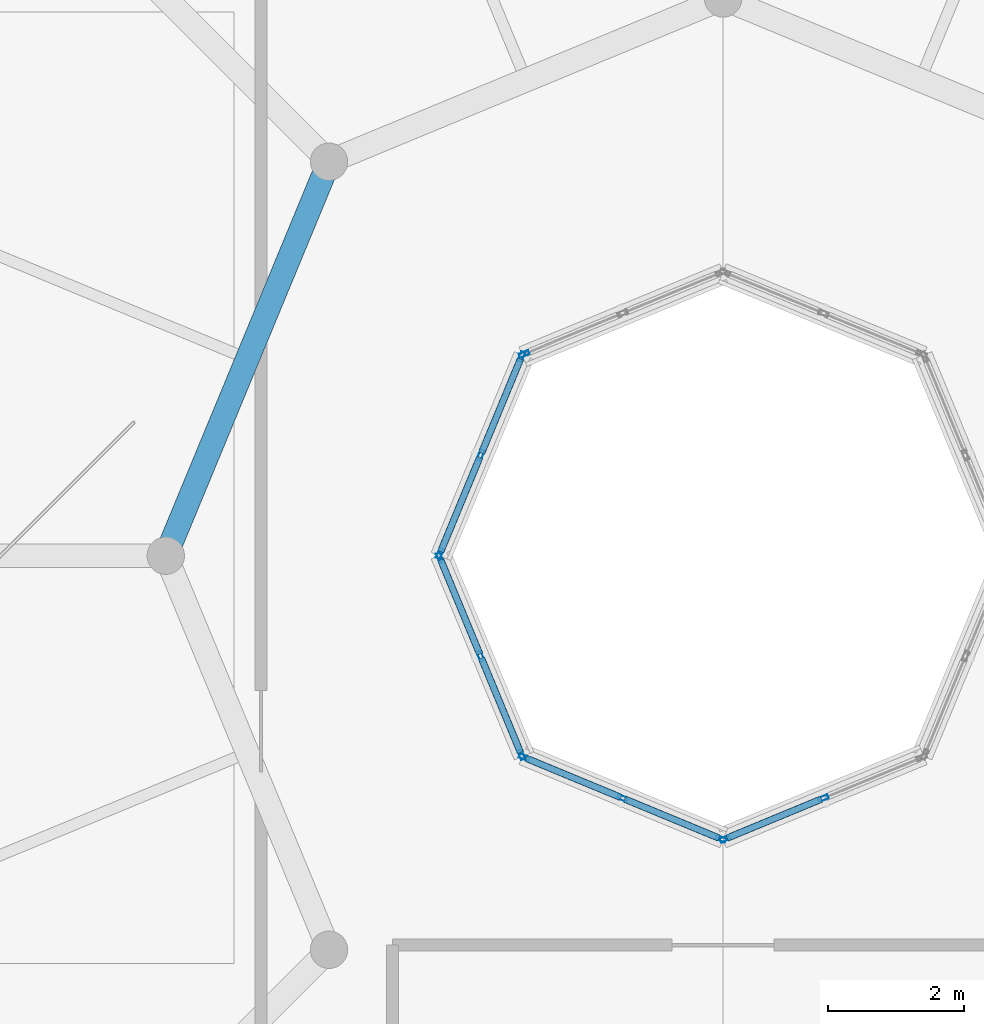
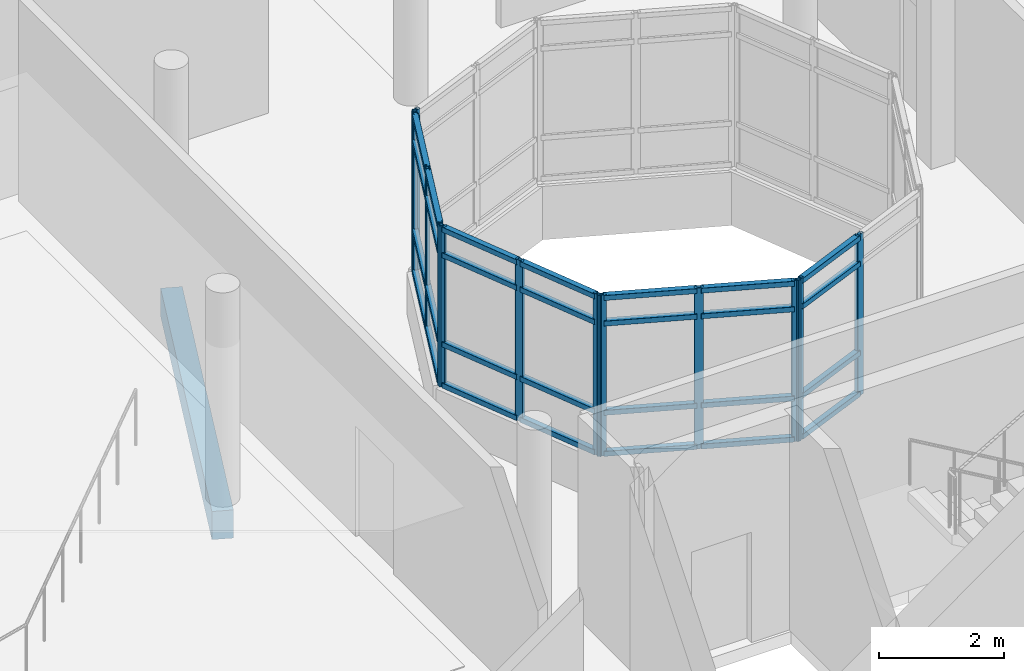
# One storey, part 79 of 128: 40 members, 1 beam, 5 elements without a shape of their own.
"""IFC4 building model written with IfcOpenShell, lengths in metres."""

from ifc_helpers import new_model, si_unit, direction, frame, origin, origin_2d, place, context, subcontext, project, spatial, rectangle, hollow_rectangle, extrude, material, layer, layer_set, material_profile, profile_set, type_object, element, aggregate, save


model = new_model("IFC4")

# Units and contexts
model_context = context("Model", 3, precision=1e-05, world=origin(), true_north=direction((0.0, 1.0)))
body_context = subcontext(model_context, "Body", "Model", "MODEL_VIEW")
ifc_project = project(units=[si_unit("LENGTHUNIT", "METRE"), si_unit("AREAUNIT", "SQUARE_METRE"), si_unit("VOLUMEUNIT", "CUBIC_METRE"), si_unit("PLANEANGLEUNIT", "RADIAN"), si_unit("MASSUNIT", "GRAM", prefix="KILO")], contexts=[model_context])

# Site, building, storey
site_placement = place(None, origin())
site = spatial("IfcSite", under=ifc_project, at=site_placement, CompositionType="ELEMENT")
building_placement = place(site_placement, origin())
building = spatial("IfcBuilding", under=site, at=building_placement, Name="Vespera Passage Community Centre", CompositionType="ELEMENT")
storey_placement = place(building_placement, frame((0.0, 0.0, 4.5)))
storey = spatial("IfcBuildingStorey", under=building, at=storey_placement, Name="L01", CompositionType="ELEMENT", Elevation=4.5)

# Beam
ifc_material_1 = material(Name="Concrete f'c 35 MPa", Category="concrete")
ifc_material_profile_1 = material_profile(ifc_material_1, rectangle(XDim=0.35009765625, YDim=0.550048828125, at=origin_2d()), Name="RC350X550")
ifc_profile_set_1 = profile_set([ifc_material_profile_1], Name="Concrete f'c 35 MPa")
beam_type = type_object("IfcBeamType", Name="BM-J-350X550", PredefinedType="JOIST", material=ifc_profile_set_1)
beam_placement = place(storey_placement, frame((135.20166015625, 30.79833984375, -0.514892578125), z_axis=(-0.382664436252, -0.92388740073, 0.0), x_axis=(0.92388740073, -0.382664436252, 0.0)))
element("IfcBeam", 1, at=beam_placement, inside=storey, type_object=beam_type, Name="V3 L01 Inner Ring Beam 4", PredefinedType="JOIST", context=body_context, shape_type="SweptSolid", body=[
    extrude(rectangle(XDim=0.35009765625, YDim=0.550048828125, at=origin_2d()), origin(), (0.0, 0.0, 1.0), 6.276123046875),
])

# Curtain wall, member
ifc_material_2 = material(Name="Anodized aluminium 6063-T6", Category="aluminium")
ifc_layer = layer(ifc_material_2, 0.159912109375)
ifc_layer_set = layer_set([ifc_layer], Name="Anodized aluminium 6063-T6")
curtain_wall_type = type_object("IfcCurtainWallType", Name="CW-107E", PredefinedType="NOTDEFINED", material=ifc_layer_set)
curtain_wall_1_placement = place(storey_placement, origin())
curtain_wall_1 = element("IfcCurtainWall", 2, at=curtain_wall_1_placement, inside=storey, type_object=curtain_wall_type, Name="V3 L01 Inner Court Ribbon Curtain Wall 3", PredefinedType="NOTDEFINED")
ifc_material_3 = material(Name="Anodized aluminium 6063-T6", Category="aluminium")
ifc_material_profile_2 = material_profile(ifc_material_3, hollow_rectangle(XDim=0.06494140625, YDim=0.14990234375, WallThickness=0.00390625, InnerFilletRadius=0.001953125, OuterFilletRadius=0.00390625, at=origin_2d()), Name="ALU150X65X4")
ifc_profile_set_2 = profile_set([ifc_material_profile_2], Name="Anodized aluminium 6063-T6")
member_type_1 = type_object("IfcMemberType", Name="MB-CWM-150E", PredefinedType="MULLION", material=ifc_profile_set_2)
member_1_placement = place(storey_placement, frame((138.07421875, 27.968017578125, 0.800048828125), z_axis=(0.0, 0.0, 1.0), x_axis=(0.382685826549, -0.923878540804, 0.0)))
member_1 = element("IfcMember", 3, at=member_1_placement, type_object=member_type_1, Name="CW-107E mullion 3", PredefinedType="MULLION", context=body_context, shape_type="SweptSolid", body=[
    extrude(hollow_rectangle(XDim=0.06494140625, YDim=0.14990234375, WallThickness=0.00390625, InnerFilletRadius=0.001953125, OuterFilletRadius=0.00390625, at=origin_2d()), origin(), (0.0, 0.0, 1.0), 3.139892578125),
])
aggregate(curtain_wall_1, [member_1])

# Curtain wall, members
curtain_wall_2_placement = place(storey_placement, origin())
curtain_wall_2 = element("IfcCurtainWall", 4, at=curtain_wall_2_placement, inside=storey, type_object=curtain_wall_type, Name="V3 L01 Inner Court Ribbon Curtain Wall 4", PredefinedType="NOTDEFINED")
member_2_placement = place(storey_placement, frame((138.031982421875, 27.92578125, 0.800048828125), z_axis=(0.0, 0.0, 1.0), x_axis=(0.923878540804, -0.382685826549, 0.0)))
member_2 = element("IfcMember", 5, at=member_2_placement, type_object=member_type_1, Name="CW-107E mullion 1", PredefinedType="MULLION", context=body_context, shape_type="SweptSolid", body=[
    extrude(hollow_rectangle(XDim=0.06494140625, YDim=0.14990234375, WallThickness=0.00390625, InnerFilletRadius=0.001953125, OuterFilletRadius=0.00390625, at=origin_2d()), origin(), (0.0, 0.0, 1.0), 3.139892578125),
])
member_3_placement = place(storey_placement, frame((137.43212890625, 26.477783203125, 0.800048828125), z_axis=(0.0, 0.0, 1.0), x_axis=(0.923878540804, -0.382685826549, 0.0)))
member_3 = element("IfcMember", 6, at=member_3_placement, type_object=member_type_1, Name="CW-107E mullion 2", PredefinedType="MULLION", context=body_context, shape_type="SweptSolid", body=[
    extrude(hollow_rectangle(XDim=0.06494140625, YDim=0.14990234375, WallThickness=0.00390625, InnerFilletRadius=0.001953125, OuterFilletRadius=0.00390625, at=origin_2d()), origin(), (0.0, 0.0, 1.0), 3.139892578125),
])
member_4_placement = place(storey_placement, frame((136.83251953125, 25.030029296875, 0.800048828125), z_axis=(0.0, 0.0, 1.0), x_axis=(0.923878540804, -0.382685826549, 0.0)))
member_4 = element("IfcMember", 7, at=member_4_placement, type_object=member_type_1, Name="CW-107E mullion 3", PredefinedType="MULLION", context=body_context, shape_type="SweptSolid", body=[
    extrude(hollow_rectangle(XDim=0.06494140625, YDim=0.14990234375, WallThickness=0.00390625, InnerFilletRadius=0.001953125, OuterFilletRadius=0.00390625, at=origin_2d()), origin(), (0.0, 0.0, 1.0), 3.139892578125),
])

curtain_wall_3_placement = place(storey_placement, origin())
curtain_wall_3 = element("IfcCurtainWall", 8, at=curtain_wall_3_placement, inside=storey, type_object=curtain_wall_type, Name="V3 L01 Inner Court Ribbon Curtain Wall 5", PredefinedType="NOTDEFINED")
member_5_placement = place(storey_placement, frame((136.83251953125, 24.969970703125, 0.800048828125), z_axis=(0.0, 0.0, 1.0), x_axis=(0.923878540804, 0.382685826549, 0.0)))
member_5 = element("IfcMember", 9, at=member_5_placement, type_object=member_type_1, Name="CW-107E mullion 1", PredefinedType="MULLION", context=body_context, shape_type="SweptSolid", body=[
    extrude(hollow_rectangle(XDim=0.06494140625, YDim=0.14990234375, WallThickness=0.00390625, InnerFilletRadius=0.001953125, OuterFilletRadius=0.00390625, at=origin_2d()), origin(), (0.0, 0.0, 1.0), 3.139892578125),
])
member_6_placement = place(storey_placement, frame((137.43212890625, 23.522216796875, 0.800048828125), z_axis=(0.0, 0.0, 1.0), x_axis=(0.923878540804, 0.382685826549, 0.0)))
member_6 = element("IfcMember", 10, at=member_6_placement, type_object=member_type_1, Name="CW-107E mullion 2", PredefinedType="MULLION", context=body_context, shape_type="SweptSolid", body=[
    extrude(hollow_rectangle(XDim=0.06494140625, YDim=0.14990234375, WallThickness=0.00390625, InnerFilletRadius=0.001953125, OuterFilletRadius=0.00390625, at=origin_2d()), origin(), (0.0, 0.0, 1.0), 3.139892578125),
])
member_7_placement = place(storey_placement, frame((138.031982421875, 22.07421875, 0.800048828125), z_axis=(0.0, 0.0, 1.0), x_axis=(0.923878540804, 0.382685826549, 0.0)))
member_7 = element("IfcMember", 11, at=member_7_placement, type_object=member_type_1, Name="CW-107E mullion 3", PredefinedType="MULLION", context=body_context, shape_type="SweptSolid", body=[
    extrude(hollow_rectangle(XDim=0.06494140625, YDim=0.14990234375, WallThickness=0.00390625, InnerFilletRadius=0.001953125, OuterFilletRadius=0.00390625, at=origin_2d()), origin(), (0.0, 0.0, 1.0), 3.139892578125),
])

curtain_wall_4_placement = place(storey_placement, origin())
curtain_wall_4 = element("IfcCurtainWall", 12, at=curtain_wall_4_placement, inside=storey, type_object=curtain_wall_type, Name="V3 L01 Inner Court Ribbon Curtain Wall 6", PredefinedType="NOTDEFINED")
member_8_placement = place(storey_placement, frame((138.07421875, 22.031982421875, 0.800048828125), z_axis=(0.0, 0.0, 1.0), x_axis=(0.382685826549, 0.923878540804, 0.0)))
member_8 = element("IfcMember", 13, at=member_8_placement, type_object=member_type_1, Name="CW-107E mullion 1", PredefinedType="MULLION", context=body_context, shape_type="SweptSolid", body=[
    extrude(hollow_rectangle(XDim=0.06494140625, YDim=0.14990234375, WallThickness=0.00390625, InnerFilletRadius=0.001953125, OuterFilletRadius=0.00390625, at=origin_2d()), origin(), (0.0, 0.0, 1.0), 3.139892578125),
])
member_9_placement = place(storey_placement, frame((139.522216796875, 21.43212890625, 0.800048828125), z_axis=(0.0, 0.0, 1.0), x_axis=(0.382685826549, 0.923878540804, 0.0)))
member_9 = element("IfcMember", 14, at=member_9_placement, type_object=member_type_1, Name="CW-107E mullion 2", PredefinedType="MULLION", context=body_context, shape_type="SweptSolid", body=[
    extrude(hollow_rectangle(XDim=0.06494140625, YDim=0.14990234375, WallThickness=0.00390625, InnerFilletRadius=0.001953125, OuterFilletRadius=0.00390625, at=origin_2d()), origin(), (0.0, 0.0, 1.0), 3.139892578125),
])
member_10_placement = place(storey_placement, frame((140.969970703125, 20.83251953125, 0.800048828125), z_axis=(0.0, 0.0, 1.0), x_axis=(0.382685826549, 0.923878540804, 0.0)))
member_10 = element("IfcMember", 15, at=member_10_placement, type_object=member_type_1, Name="CW-107E mullion 3", PredefinedType="MULLION", context=body_context, shape_type="SweptSolid", body=[
    extrude(hollow_rectangle(XDim=0.06494140625, YDim=0.14990234375, WallThickness=0.00390625, InnerFilletRadius=0.001953125, OuterFilletRadius=0.00390625, at=origin_2d()), origin(), (0.0, 0.0, 1.0), 3.139892578125),
])

curtain_wall_5_placement = place(storey_placement, origin())
curtain_wall_5 = element("IfcCurtainWall", 16, at=curtain_wall_5_placement, inside=storey, type_object=curtain_wall_type, Name="V3 L01 Inner Court Ribbon Curtain Wall 7", PredefinedType="NOTDEFINED")
member_11_placement = place(storey_placement, frame((141.030029296875, 20.83251953125, 0.800048828125), z_axis=(0.0, 0.0, 1.0), x_axis=(-0.382685826549, 0.923878540804, 0.0)))
member_11 = element("IfcMember", 17, at=member_11_placement, type_object=member_type_1, Name="CW-107E mullion 1", PredefinedType="MULLION", context=body_context, shape_type="SweptSolid", body=[
    extrude(hollow_rectangle(XDim=0.06494140625, YDim=0.14990234375, WallThickness=0.00390625, InnerFilletRadius=0.001953125, OuterFilletRadius=0.00390625, at=origin_2d()), origin(), (0.0, 0.0, 1.0), 3.139892578125),
])
member_12_placement = place(storey_placement, frame((142.477783203125, 21.43212890625, 0.800048828125), z_axis=(0.0, 0.0, 1.0), x_axis=(-0.382685826549, 0.923878540804, 0.0)))
member_12 = element("IfcMember", 18, at=member_12_placement, type_object=member_type_1, Name="CW-107E mullion 2", PredefinedType="MULLION", context=body_context, shape_type="SweptSolid", body=[
    extrude(hollow_rectangle(XDim=0.06494140625, YDim=0.14990234375, WallThickness=0.00390625, InnerFilletRadius=0.001953125, OuterFilletRadius=0.00390625, at=origin_2d()), origin(), (0.0, 0.0, 1.0), 3.139892578125),
])

# Member
ifc_material_4 = material(Name="Anodized aluminium 6063-T6", Category="aluminium")
ifc_material_profile_3 = material_profile(ifc_material_4, hollow_rectangle(XDim=0.10009765625, YDim=0.10009765625, WallThickness=0.00390625, InnerFilletRadius=0.001953125, OuterFilletRadius=0.00390625, at=origin_2d()), Name="ALU100X100X4")
ifc_profile_set_3 = profile_set([ifc_material_profile_3], Name="Anodized aluminium 6063-T6")
member_type_2 = type_object("IfcMemberType", Name="MB-CWT-100E", PredefinedType="USERDEFINED", material=ifc_profile_set_3)
member_13_placement = place(storey_placement, frame((138.01953125, 27.895751953125, 0.85009765625), z_axis=(-0.382710605355, -0.923868276622, 0.0), x_axis=(0.923868276622, -0.382710605355, 0.0)))
member_13 = element("IfcMember", 19, at=member_13_placement, type_object=member_type_2, Name="CW-107E transom 1.1", ObjectType="TRANSOM", PredefinedType="USERDEFINED", context=body_context, shape_type="SweptSolid", body=[
    extrude(hollow_rectangle(XDim=0.10009765625, YDim=0.10009765625, WallThickness=0.00390625, InnerFilletRadius=0.001953125, OuterFilletRadius=0.00390625, at=origin_2d()), origin(), (0.0, 0.0, 1.0), 1.502197265625),
])

member_14_placement = place(storey_placement, frame((138.01953125, 27.895751953125, 1.64990234375), z_axis=(-0.382710605355, -0.923868276622, 0.0), x_axis=(0.923868276622, -0.382710605355, 0.0)))
member_14 = element("IfcMember", 20, at=member_14_placement, type_object=member_type_2, Name="CW-107E transom 1.2", ObjectType="TRANSOM", PredefinedType="USERDEFINED", context=body_context, shape_type="SweptSolid", body=[
    extrude(hollow_rectangle(XDim=0.10009765625, YDim=0.10009765625, WallThickness=0.00390625, InnerFilletRadius=0.001953125, OuterFilletRadius=0.00390625, at=origin_2d()), origin(), (0.0, 0.0, 1.0), 1.502197265625),
])

member_15_placement = place(storey_placement, frame((138.01953125, 27.895751953125, 3.389892578125), z_axis=(-0.382710605355, -0.923868276622, 0.0), x_axis=(0.923868276622, -0.382710605355, 0.0)))
member_15 = element("IfcMember", 21, at=member_15_placement, type_object=member_type_2, Name="CW-107E transom 1.3", ObjectType="TRANSOM", PredefinedType="USERDEFINED", context=body_context, shape_type="SweptSolid", body=[
    extrude(hollow_rectangle(XDim=0.10009765625, YDim=0.10009765625, WallThickness=0.00390625, InnerFilletRadius=0.001953125, OuterFilletRadius=0.00390625, at=origin_2d()), origin(), (0.0, 0.0, 1.0), 1.502197265625),
])

member_16_placement = place(storey_placement, frame((138.01953125, 27.895751953125, 3.889892578125), z_axis=(-0.382710605355, -0.923868276622, 0.0), x_axis=(0.923868276622, -0.382710605355, 0.0)))
member_16 = element("IfcMember", 22, at=member_16_placement, type_object=member_type_2, Name="CW-107E transom 1.4", ObjectType="TRANSOM", PredefinedType="USERDEFINED", context=body_context, shape_type="SweptSolid", body=[
    extrude(hollow_rectangle(XDim=0.10009765625, YDim=0.10009765625, WallThickness=0.00390625, InnerFilletRadius=0.001953125, OuterFilletRadius=0.00390625, at=origin_2d()), origin(), (0.0, 0.0, 1.0), 1.502197265625),
])

member_17_placement = place(storey_placement, frame((137.419677734375, 26.44775390625, 0.85009765625), z_axis=(-0.382629338474, -0.923901937079, 0.0), x_axis=(0.923901937079, -0.382629338474, 0.0)))
member_17 = element("IfcMember", 23, at=member_17_placement, type_object=member_type_2, Name="CW-107E transom 2.1", ObjectType="TRANSOM", PredefinedType="USERDEFINED", context=body_context, shape_type="SweptSolid", body=[
    extrude(hollow_rectangle(XDim=0.10009765625, YDim=0.10009765625, WallThickness=0.00390625, InnerFilletRadius=0.001953125, OuterFilletRadius=0.00390625, at=origin_2d()), origin(), (0.0, 0.0, 1.0), 1.501953125),
])

member_18_placement = place(storey_placement, frame((137.419677734375, 26.44775390625, 1.64990234375), z_axis=(-0.382629338474, -0.923901937079, 0.0), x_axis=(0.923901937079, -0.382629338474, 0.0)))
member_18 = element("IfcMember", 24, at=member_18_placement, type_object=member_type_2, Name="CW-107E transom 2.2", ObjectType="TRANSOM", PredefinedType="USERDEFINED", context=body_context, shape_type="SweptSolid", body=[
    extrude(hollow_rectangle(XDim=0.10009765625, YDim=0.10009765625, WallThickness=0.00390625, InnerFilletRadius=0.001953125, OuterFilletRadius=0.00390625, at=origin_2d()), origin(), (0.0, 0.0, 1.0), 1.501953125),
])

member_19_placement = place(storey_placement, frame((137.419677734375, 26.44775390625, 3.389892578125), z_axis=(-0.382629338474, -0.923901937079, 0.0), x_axis=(0.923901937079, -0.382629338474, 0.0)))
member_19 = element("IfcMember", 25, at=member_19_placement, type_object=member_type_2, Name="CW-107E transom 2.3", ObjectType="TRANSOM", PredefinedType="USERDEFINED", context=body_context, shape_type="SweptSolid", body=[
    extrude(hollow_rectangle(XDim=0.10009765625, YDim=0.10009765625, WallThickness=0.00390625, InnerFilletRadius=0.001953125, OuterFilletRadius=0.00390625, at=origin_2d()), origin(), (0.0, 0.0, 1.0), 1.501953125),
])

member_20_placement = place(storey_placement, frame((137.419677734375, 26.44775390625, 3.889892578125), z_axis=(-0.382629338474, -0.923901937079, 0.0), x_axis=(0.923901937079, -0.382629338474, 0.0)))
member_20 = element("IfcMember", 26, at=member_20_placement, type_object=member_type_2, Name="CW-107E transom 2.4", ObjectType="TRANSOM", PredefinedType="USERDEFINED", context=body_context, shape_type="SweptSolid", body=[
    extrude(hollow_rectangle(XDim=0.10009765625, YDim=0.10009765625, WallThickness=0.00390625, InnerFilletRadius=0.001953125, OuterFilletRadius=0.00390625, at=origin_2d()), origin(), (0.0, 0.0, 1.0), 1.501953125),
])

aggregate(curtain_wall_2, [member_2, member_3, member_4, member_13, member_14, member_15, member_16, member_17, member_18, member_19, member_20])

member_21_placement = place(storey_placement, frame((136.844970703125, 24.93994140625, 0.85009765625), z_axis=(0.382629338474, -0.923901937079, 0.0), x_axis=(0.923901937079, 0.382629338474, 0.0)))
member_21 = element("IfcMember", 27, at=member_21_placement, type_object=member_type_2, Name="CW-107E transom 1.1", ObjectType="TRANSOM", PredefinedType="USERDEFINED", context=body_context, shape_type="SweptSolid", body=[
    extrude(hollow_rectangle(XDim=0.10009765625, YDim=0.10009765625, WallThickness=0.00390625, InnerFilletRadius=0.001953125, OuterFilletRadius=0.00390625, at=origin_2d()), origin(), (0.0, 0.0, 1.0), 1.501953125),
])

member_22_placement = place(storey_placement, frame((136.844970703125, 24.93994140625, 1.64990234375), z_axis=(0.382629338474, -0.923901937079, 0.0), x_axis=(0.923901937079, 0.382629338474, 0.0)))
member_22 = element("IfcMember", 28, at=member_22_placement, type_object=member_type_2, Name="CW-107E transom 1.2", ObjectType="TRANSOM", PredefinedType="USERDEFINED", context=body_context, shape_type="SweptSolid", body=[
    extrude(hollow_rectangle(XDim=0.10009765625, YDim=0.10009765625, WallThickness=0.00390625, InnerFilletRadius=0.001953125, OuterFilletRadius=0.00390625, at=origin_2d()), origin(), (0.0, 0.0, 1.0), 1.501953125),
])

member_23_placement = place(storey_placement, frame((136.844970703125, 24.93994140625, 3.389892578125), z_axis=(0.382629338474, -0.923901937079, 0.0), x_axis=(0.923901937079, 0.382629338474, 0.0)))
member_23 = element("IfcMember", 29, at=member_23_placement, type_object=member_type_2, Name="CW-107E transom 1.3", ObjectType="TRANSOM", PredefinedType="USERDEFINED", context=body_context, shape_type="SweptSolid", body=[
    extrude(hollow_rectangle(XDim=0.10009765625, YDim=0.10009765625, WallThickness=0.00390625, InnerFilletRadius=0.001953125, OuterFilletRadius=0.00390625, at=origin_2d()), origin(), (0.0, 0.0, 1.0), 1.501953125),
])

member_24_placement = place(storey_placement, frame((136.844970703125, 24.93994140625, 3.889892578125), z_axis=(0.382629338474, -0.923901937079, 0.0), x_axis=(0.923901937079, 0.382629338474, 0.0)))
member_24 = element("IfcMember", 30, at=member_24_placement, type_object=member_type_2, Name="CW-107E transom 1.4", ObjectType="TRANSOM", PredefinedType="USERDEFINED", context=body_context, shape_type="SweptSolid", body=[
    extrude(hollow_rectangle(XDim=0.10009765625, YDim=0.10009765625, WallThickness=0.00390625, InnerFilletRadius=0.001953125, OuterFilletRadius=0.00390625, at=origin_2d()), origin(), (0.0, 0.0, 1.0), 1.501953125),
])

member_25_placement = place(storey_placement, frame((137.444580078125, 23.4921875, 0.85009765625), z_axis=(0.382710605355, -0.923868276622, 0.0), x_axis=(0.923868276622, 0.382710605355, 0.0)))
member_25 = element("IfcMember", 31, at=member_25_placement, type_object=member_type_2, Name="CW-107E transom 2.1", ObjectType="TRANSOM", PredefinedType="USERDEFINED", context=body_context, shape_type="SweptSolid", body=[
    extrude(hollow_rectangle(XDim=0.10009765625, YDim=0.10009765625, WallThickness=0.00390625, InnerFilletRadius=0.001953125, OuterFilletRadius=0.00390625, at=origin_2d()), origin(), (0.0, 0.0, 1.0), 1.502197265625),
])

member_26_placement = place(storey_placement, frame((137.444580078125, 23.4921875, 1.64990234375), z_axis=(0.382710605355, -0.923868276622, 0.0), x_axis=(0.923868276622, 0.382710605355, 0.0)))
member_26 = element("IfcMember", 32, at=member_26_placement, type_object=member_type_2, Name="CW-107E transom 2.2", ObjectType="TRANSOM", PredefinedType="USERDEFINED", context=body_context, shape_type="SweptSolid", body=[
    extrude(hollow_rectangle(XDim=0.10009765625, YDim=0.10009765625, WallThickness=0.00390625, InnerFilletRadius=0.001953125, OuterFilletRadius=0.00390625, at=origin_2d()), origin(), (0.0, 0.0, 1.0), 1.502197265625),
])

member_27_placement = place(storey_placement, frame((137.444580078125, 23.4921875, 3.389892578125), z_axis=(0.382710605355, -0.923868276622, 0.0), x_axis=(0.923868276622, 0.382710605355, 0.0)))
member_27 = element("IfcMember", 33, at=member_27_placement, type_object=member_type_2, Name="CW-107E transom 2.3", ObjectType="TRANSOM", PredefinedType="USERDEFINED", context=body_context, shape_type="SweptSolid", body=[
    extrude(hollow_rectangle(XDim=0.10009765625, YDim=0.10009765625, WallThickness=0.00390625, InnerFilletRadius=0.001953125, OuterFilletRadius=0.00390625, at=origin_2d()), origin(), (0.0, 0.0, 1.0), 1.502197265625),
])

member_28_placement = place(storey_placement, frame((137.444580078125, 23.4921875, 3.889892578125), z_axis=(0.382710605355, -0.923868276622, 0.0), x_axis=(0.923868276622, 0.382710605355, 0.0)))
member_28 = element("IfcMember", 34, at=member_28_placement, type_object=member_type_2, Name="CW-107E transom 2.4", ObjectType="TRANSOM", PredefinedType="USERDEFINED", context=body_context, shape_type="SweptSolid", body=[
    extrude(hollow_rectangle(XDim=0.10009765625, YDim=0.10009765625, WallThickness=0.00390625, InnerFilletRadius=0.001953125, OuterFilletRadius=0.00390625, at=origin_2d()), origin(), (0.0, 0.0, 1.0), 1.502197265625),
])

aggregate(curtain_wall_3, [member_5, member_6, member_7, member_21, member_22, member_23, member_24, member_25, member_26, member_27, member_28])

member_29_placement = place(storey_placement, frame((138.104248046875, 22.01953125, 0.85009765625), z_axis=(0.923868276622, -0.382710605355, 0.0), x_axis=(0.382710605355, 0.923868276622, 0.0)))
member_29 = element("IfcMember", 35, at=member_29_placement, type_object=member_type_2, Name="CW-107E transom 1.1", ObjectType="TRANSOM", PredefinedType="USERDEFINED", context=body_context, shape_type="SweptSolid", body=[
    extrude(hollow_rectangle(XDim=0.10009765625, YDim=0.10009765625, WallThickness=0.00390625, InnerFilletRadius=0.001953125, OuterFilletRadius=0.00390625, at=origin_2d()), origin(), (0.0, 0.0, 1.0), 1.502197265625),
])

member_30_placement = place(storey_placement, frame((138.104248046875, 22.01953125, 1.64990234375), z_axis=(0.923868276622, -0.382710605355, 0.0), x_axis=(0.382710605355, 0.923868276622, 0.0)))
member_30 = element("IfcMember", 36, at=member_30_placement, type_object=member_type_2, Name="CW-107E transom 1.2", ObjectType="TRANSOM", PredefinedType="USERDEFINED", context=body_context, shape_type="SweptSolid", body=[
    extrude(hollow_rectangle(XDim=0.10009765625, YDim=0.10009765625, WallThickness=0.00390625, InnerFilletRadius=0.001953125, OuterFilletRadius=0.00390625, at=origin_2d()), origin(), (0.0, 0.0, 1.0), 1.502197265625),
])

member_31_placement = place(storey_placement, frame((138.104248046875, 22.01953125, 3.389892578125), z_axis=(0.923868276622, -0.382710605355, 0.0), x_axis=(0.382710605355, 0.923868276622, 0.0)))
member_31 = element("IfcMember", 37, at=member_31_placement, type_object=member_type_2, Name="CW-107E transom 1.3", ObjectType="TRANSOM", PredefinedType="USERDEFINED", context=body_context, shape_type="SweptSolid", body=[
    extrude(hollow_rectangle(XDim=0.10009765625, YDim=0.10009765625, WallThickness=0.00390625, InnerFilletRadius=0.001953125, OuterFilletRadius=0.00390625, at=origin_2d()), origin(), (0.0, 0.0, 1.0), 1.502197265625),
])

member_32_placement = place(storey_placement, frame((138.104248046875, 22.01953125, 3.889892578125), z_axis=(0.923868276622, -0.382710605355, 0.0), x_axis=(0.382710605355, 0.923868276622, 0.0)))
member_32 = element("IfcMember", 38, at=member_32_placement, type_object=member_type_2, Name="CW-107E transom 1.4", ObjectType="TRANSOM", PredefinedType="USERDEFINED", context=body_context, shape_type="SweptSolid", body=[
    extrude(hollow_rectangle(XDim=0.10009765625, YDim=0.10009765625, WallThickness=0.00390625, InnerFilletRadius=0.001953125, OuterFilletRadius=0.00390625, at=origin_2d()), origin(), (0.0, 0.0, 1.0), 1.502197265625),
])

member_33_placement = place(storey_placement, frame((139.55224609375, 21.419677734375, 0.85009765625), z_axis=(0.923901937079, -0.382629338474, 0.0), x_axis=(0.382629338474, 0.923901937079, 0.0)))
member_33 = element("IfcMember", 39, at=member_33_placement, type_object=member_type_2, Name="CW-107E transom 2.1", ObjectType="TRANSOM", PredefinedType="USERDEFINED", context=body_context, shape_type="SweptSolid", body=[
    extrude(hollow_rectangle(XDim=0.10009765625, YDim=0.10009765625, WallThickness=0.00390625, InnerFilletRadius=0.001953125, OuterFilletRadius=0.00390625, at=origin_2d()), origin(), (0.0, 0.0, 1.0), 1.501953125),
])

member_34_placement = place(storey_placement, frame((139.55224609375, 21.419677734375, 1.64990234375), z_axis=(0.923901937079, -0.382629338474, 0.0), x_axis=(0.382629338474, 0.923901937079, 0.0)))
member_34 = element("IfcMember", 40, at=member_34_placement, type_object=member_type_2, Name="CW-107E transom 2.2", ObjectType="TRANSOM", PredefinedType="USERDEFINED", context=body_context, shape_type="SweptSolid", body=[
    extrude(hollow_rectangle(XDim=0.10009765625, YDim=0.10009765625, WallThickness=0.00390625, InnerFilletRadius=0.001953125, OuterFilletRadius=0.00390625, at=origin_2d()), origin(), (0.0, 0.0, 1.0), 1.501953125),
])

member_35_placement = place(storey_placement, frame((139.55224609375, 21.419677734375, 3.389892578125), z_axis=(0.923901937079, -0.382629338474, 0.0), x_axis=(0.382629338474, 0.923901937079, 0.0)))
member_35 = element("IfcMember", 41, at=member_35_placement, type_object=member_type_2, Name="CW-107E transom 2.3", ObjectType="TRANSOM", PredefinedType="USERDEFINED", context=body_context, shape_type="SweptSolid", body=[
    extrude(hollow_rectangle(XDim=0.10009765625, YDim=0.10009765625, WallThickness=0.00390625, InnerFilletRadius=0.001953125, OuterFilletRadius=0.00390625, at=origin_2d()), origin(), (0.0, 0.0, 1.0), 1.501953125),
])

member_36_placement = place(storey_placement, frame((139.55224609375, 21.419677734375, 3.889892578125), z_axis=(0.923901937079, -0.382629338474, 0.0), x_axis=(0.382629338474, 0.923901937079, 0.0)))
member_36 = element("IfcMember", 42, at=member_36_placement, type_object=member_type_2, Name="CW-107E transom 2.4", ObjectType="TRANSOM", PredefinedType="USERDEFINED", context=body_context, shape_type="SweptSolid", body=[
    extrude(hollow_rectangle(XDim=0.10009765625, YDim=0.10009765625, WallThickness=0.00390625, InnerFilletRadius=0.001953125, OuterFilletRadius=0.00390625, at=origin_2d()), origin(), (0.0, 0.0, 1.0), 1.501953125),
])

aggregate(curtain_wall_4, [member_8, member_9, member_10, member_29, member_30, member_31, member_32, member_33, member_34, member_35, member_36])

member_37_placement = place(storey_placement, frame((141.06005859375, 20.844970703125, 0.85009765625), z_axis=(0.923901937079, 0.382629338474, 0.0), x_axis=(-0.382629338474, 0.923901937079, 0.0)))
member_37 = element("IfcMember", 43, at=member_37_placement, type_object=member_type_2, Name="CW-107E transom 1.1", ObjectType="TRANSOM", PredefinedType="USERDEFINED", context=body_context, shape_type="SweptSolid", body=[
    extrude(hollow_rectangle(XDim=0.10009765625, YDim=0.10009765625, WallThickness=0.00390625, InnerFilletRadius=0.001953125, OuterFilletRadius=0.00390625, at=origin_2d()), origin(), (0.0, 0.0, 1.0), 1.501953125),
])

member_38_placement = place(storey_placement, frame((141.06005859375, 20.844970703125, 1.64990234375), z_axis=(0.923901937079, 0.382629338474, 0.0), x_axis=(-0.382629338474, 0.923901937079, 0.0)))
member_38 = element("IfcMember", 44, at=member_38_placement, type_object=member_type_2, Name="CW-107E transom 1.2", ObjectType="TRANSOM", PredefinedType="USERDEFINED", context=body_context, shape_type="SweptSolid", body=[
    extrude(hollow_rectangle(XDim=0.10009765625, YDim=0.10009765625, WallThickness=0.00390625, InnerFilletRadius=0.001953125, OuterFilletRadius=0.00390625, at=origin_2d()), origin(), (0.0, 0.0, 1.0), 1.501953125),
])

member_39_placement = place(storey_placement, frame((141.06005859375, 20.844970703125, 3.389892578125), z_axis=(0.923901937079, 0.382629338474, 0.0), x_axis=(-0.382629338474, 0.923901937079, 0.0)))
member_39 = element("IfcMember", 45, at=member_39_placement, type_object=member_type_2, Name="CW-107E transom 1.3", ObjectType="TRANSOM", PredefinedType="USERDEFINED", context=body_context, shape_type="SweptSolid", body=[
    extrude(hollow_rectangle(XDim=0.10009765625, YDim=0.10009765625, WallThickness=0.00390625, InnerFilletRadius=0.001953125, OuterFilletRadius=0.00390625, at=origin_2d()), origin(), (0.0, 0.0, 1.0), 1.501953125),
])

member_40_placement = place(storey_placement, frame((141.06005859375, 20.844970703125, 3.889892578125), z_axis=(0.923901937079, 0.382629338474, 0.0), x_axis=(-0.382629338474, 0.923901937079, 0.0)))
member_40 = element("IfcMember", 46, at=member_40_placement, type_object=member_type_2, Name="CW-107E transom 1.4", ObjectType="TRANSOM", PredefinedType="USERDEFINED", context=body_context, shape_type="SweptSolid", body=[
    extrude(hollow_rectangle(XDim=0.10009765625, YDim=0.10009765625, WallThickness=0.00390625, InnerFilletRadius=0.001953125, OuterFilletRadius=0.00390625, at=origin_2d()), origin(), (0.0, 0.0, 1.0), 1.501953125),
])

aggregate(curtain_wall_5, [member_11, member_12, member_37, member_38, member_39, member_40])

save(model, "model.ifc")
